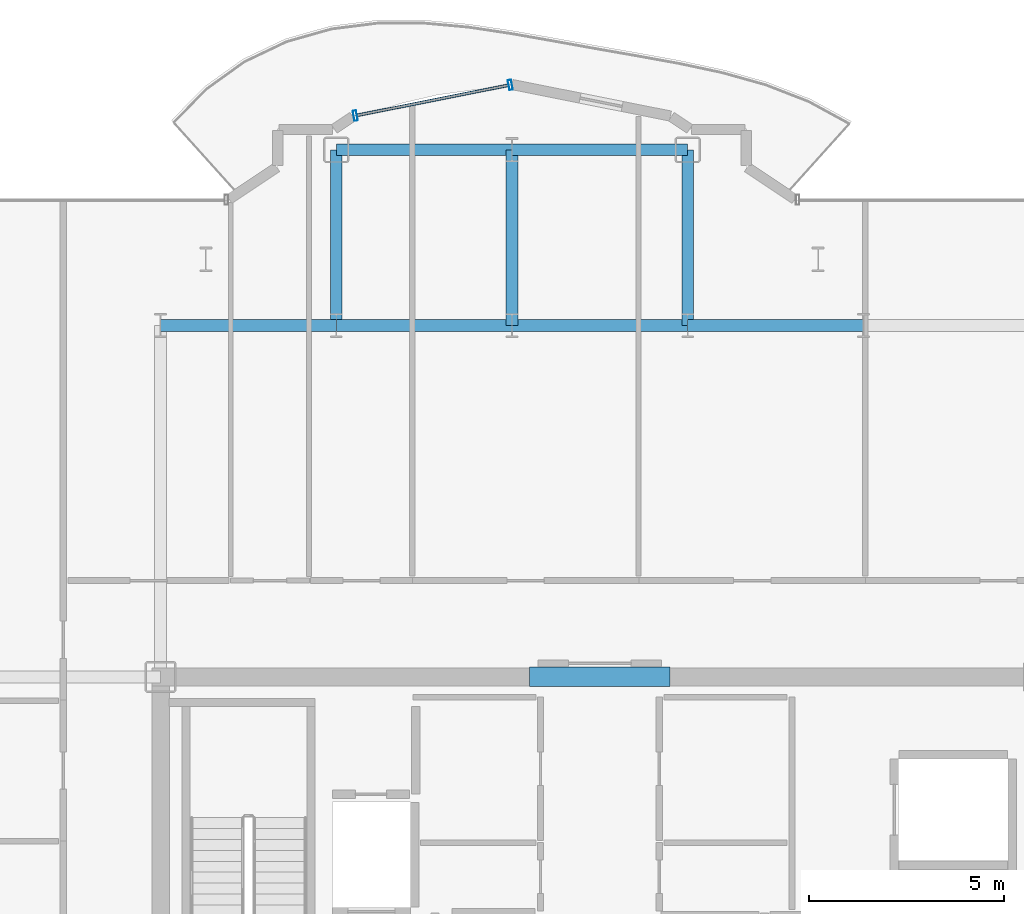
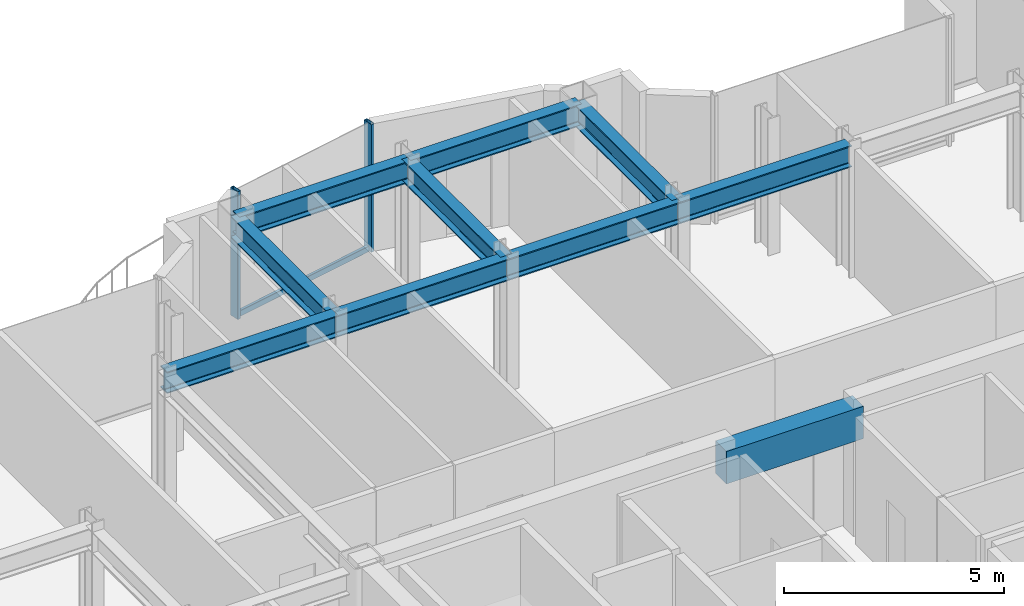
# One storey, part 8 of 17: 10 beams, 3 members, 1 element without a shape of its own.
"""IFC4 building model written with IfcOpenShell, lengths in metres."""

from ifc_helpers import new_model, si_unit, direction, frame, origin, origin_2d, place, context, subcontext, project, spatial, rectangle, hollow_rectangle, i_section, extrude, source, transform, mapped, material, layer, layer_set, material_profile, profile_set, type_object, element, aggregate, save


model = new_model("IFC4")

# Units and contexts
model_context = context("Model", 3, precision=1e-05, world=origin(), true_north=direction((0.0, 1.0)))
body_context = subcontext(model_context, "Body", "Model", "MODEL_VIEW")
ifc_project = project(units=[si_unit("LENGTHUNIT", "METRE"), si_unit("AREAUNIT", "SQUARE_METRE"), si_unit("VOLUMEUNIT", "CUBIC_METRE"), si_unit("PLANEANGLEUNIT", "RADIAN"), si_unit("MASSUNIT", "GRAM", prefix="KILO")], contexts=[model_context])

# Site, building, storey
site_placement = place(None, origin())
site = spatial("IfcSite", under=ifc_project, at=site_placement, CompositionType="ELEMENT")
building_placement = place(site_placement, origin())
building = spatial("IfcBuilding", under=site, at=building_placement, Name="Nefas-Gora Pilgrimage Tower", CompositionType="ELEMENT")
storey_placement = place(building_placement, frame((0.0, 0.0, 279.800048828125)))
storey = spatial("IfcBuildingStorey", under=building, at=storey_placement, Name="L70", CompositionType="ELEMENT", Elevation=279.800048828125)

# Beams
ifc_material_1 = material(Name="Concrete C50/60", Category="concrete")
ifc_material_profile_1 = material_profile(ifc_material_1, rectangle(XDim=0.5, YDim=0.89990234375, at=origin_2d()), Name="RC 500x900")
ifc_profile_set_1 = profile_set([ifc_material_profile_1], Name="Concrete C50/60")
beam_type_1 = type_object("IfcBeamType", Name="BM-LIN-RC900", PredefinedType="LINTEL", material=ifc_profile_set_1)
shared_shape_1 = source(origin(), body_context, "Body", "SweptSolid", [
    extrude(rectangle(XDim=0.5, YDim=0.89990234375, at=origin_2d()), origin(), (0.0, 0.0, 1.0), 3.60009765625),
])
beam_placement = place(storey_placement, frame((-1.800048828125, 9.0, 3.099853515625), z_axis=(1.0, 0.0, 0.0), x_axis=(0.0, 1.0, 0.0)))
element("IfcBeam", 1, at=beam_placement, inside=storey, type_object=beam_type_1, Name="L70 Core Coupling Lintel Beam N", PredefinedType="LINTEL", context=body_context, shape_type="MappedRepresentation", body=[
    mapped(shared_shape_1, transform((0.0, 0.0, 0.0), x_axis=(1.0, 0.0, 0.0), y_axis=(0.0, 1.0, 0.0), z_axis=(0.0, 0.0, 1.0), scale=1.0)),
])
ifc_material_2 = material(Name="Steel S355", Category="steel")
ifc_material_profile_2 = material_profile(ifc_material_2, i_section(OverallWidth=0.300048828125, OverallDepth=0.60009765625, WebThickness=0.015380859375, FlangeThickness=0.030029296875, FilletRadius=0.027099609375, at=origin_2d()), Name="HEB 600")
ifc_profile_set_2 = profile_set([ifc_material_profile_2], Name="Steel S355")
beam_type_2 = type_object("IfcBeamType", Name="BM-GIR-HEB600", PredefinedType="BEAM", material=ifc_profile_set_2)
shared_shape_2 = source(origin(), body_context, "Body", "SweptSolid", [
    extrude(i_section(OverallWidth=0.300048828125, OverallDepth=0.60009765625, WebThickness=0.015380859375, FlangeThickness=0.030029296875, FilletRadius=0.027099609375, at=origin_2d()), origin(), (0.0, 0.0, 1.0), 4.5),
])
for number, where, z_axis, x_axis, name in (
    (2, (-11.25, 18.0, 3.25), (1.0, 0.0, 0.0), (0.0, 1.0, 0.0), "L70 G-04 beam"),
    (3, (-6.75, 18.0, 3.25), (0.0, 1.0, 0.0), (-1.0, 0.0, 0.0), "L70 G-04 beam"),
    (4, (-6.75, 18.0, 3.25), (1.0, 0.0, 0.0), (0.0, 1.0, 0.0), "L70 G-04 beam"),
    (5, (-6.75, 22.5, 3.25), (1.0, 0.0, 0.0), (0.0, 1.0, 0.0), "L70 G-04 beam"),
    (6, (-2.25, 18.0, 3.25), (0.0, 1.0, 0.0), (-1.0, 0.0, 0.0), "L70 G-04 beam"),
    (7, (-2.25, 18.0, 3.25), (1.0, 0.0, 0.0), (0.0, 1.0, 0.0), "L70 G-04 beam"),
    (8, (-2.25, 22.5, 3.25), (1.0, 0.0, 0.0), (0.0, 1.0, 0.0), "L70 G-04 beam"),
    (9, (2.25, 18.0, 3.25), (0.0, 1.0, 0.0), (-1.0, 0.0, 0.0), "L70 G-04 beam"),
    (10, (2.25, 18.0, 3.25), (1.0, 0.0, 0.0), (0.0, 1.0, 0.0), "L70 G-04 beam"),
):
    element("IfcBeam", number, at=place(storey_placement, frame(where, z_axis=z_axis, x_axis=x_axis)), inside=storey, type_object=beam_type_2, Name=name, PredefinedType="BEAM", context=body_context, shape_type="MappedRepresentation", body=[
        mapped(shared_shape_2, transform((0.0, 0.0, 0.0), x_axis=(1.0, 0.0, 0.0), y_axis=(0.0, 1.0, 0.0), z_axis=(0.0, 0.0, 1.0), scale=1.0)),
    ])

# Curtain wall, members
ifc_material_3 = material(Name="Dark ceramic-fritted solar-control aluminium-glass curtain wall", Category="aluminium")
ifc_layer = layer(ifc_material_3, 0.219970703125)
ifc_layer_set = layer_set([ifc_layer], Name="Dark ceramic-fritted solar-control aluminium-glass curtain wall")
curtain_wall_type = type_object("IfcCurtainWallType", Name="CW-SYS-5", PredefinedType="NOTDEFINED", material=ifc_layer_set)
curtain_wall_placement = place(storey_placement, origin())
curtain_wall = element("IfcCurtainWall", 11, at=curtain_wall_placement, inside=storey, type_object=curtain_wall_type, Name="L70 Unitised Curtain Wall CW5", PredefinedType="NOTDEFINED")
ifc_material_4 = material(Name="Anodised architectural aluminium", Category="aluminium")
ifc_material_profile_3 = material_profile(ifc_material_4, hollow_rectangle(XDim=0.090087890625, YDim=0.260009765625, WallThickness=0.006103515625, InnerFilletRadius=0.006103515625, OuterFilletRadius=0.011962890625, at=origin_2d()), Name="ALU MULLION 90x260")
ifc_profile_set_3 = profile_set([ifc_material_profile_3], Name="Anodised architectural aluminium")
member_type_1 = type_object("IfcMemberType", Name="CWM-MUL-5", PredefinedType="MULLION", material=ifc_profile_set_3)
shared_shape_3 = source(origin(), body_context, "Body", "SweptSolid", [
    extrude(hollow_rectangle(XDim=0.090087890625, YDim=0.260009765625, WallThickness=0.006103515625, InnerFilletRadius=0.006103515625, OuterFilletRadius=0.011962890625, at=origin_2d()), origin(), (0.0, 0.0, 1.0), 3.550048828125),
])
member_1_placement = place(storey_placement, frame((-2.294189453125, 24.16357421875, 0.0), z_axis=(0.0, 0.0, 1.0), x_axis=(-0.980782896852, -0.195102304554, 0.0)))
member_1 = element("IfcMember", 12, at=member_1_placement, type_object=member_type_1, Name="CW5 Mullion 1", PredefinedType="MULLION", context=body_context, shape_type="MappedRepresentation", body=[
    mapped(shared_shape_3, transform((0.0, 0.0, 0.0), x_axis=(1.0, 0.0, 0.0), y_axis=(0.0, 1.0, 0.0), z_axis=(0.0, 0.0, 1.0), scale=1.0)),
])
member_2_placement = place(storey_placement, frame((-6.26318359375, 23.3740234375, 0.0), z_axis=(0.0, 0.0, 1.0), x_axis=(-0.980782896852, -0.195102304554, 0.0)))
member_2 = element("IfcMember", 13, at=member_2_placement, type_object=member_type_1, Name="CW5 Mullion 2", PredefinedType="MULLION", context=body_context, shape_type="MappedRepresentation", body=[
    mapped(shared_shape_3, transform((0.0, 0.0, 0.0), x_axis=(1.0, 0.0, 0.0), y_axis=(0.0, 1.0, 0.0), z_axis=(0.0, 0.0, 1.0), scale=1.0)),
])
ifc_material_profile_4 = material_profile(ifc_material_4, hollow_rectangle(XDim=0.080078125, YDim=0.159912109375, WallThickness=0.00439453125, InnerFilletRadius=0.00439453125, OuterFilletRadius=0.009033203125, at=origin_2d()), Name="ALU TRANSOM 80x160")
ifc_profile_set_4 = profile_set([ifc_material_profile_4], Name="Anodised architectural aluminium")
member_type_2 = type_object("IfcMemberType", Name="CWM-TRN-5", PredefinedType="USERDEFINED", material=ifc_profile_set_4)
shared_shape_4 = source(origin(), body_context, "Body", "SweptSolid", [
    extrude(hollow_rectangle(XDim=0.080078125, YDim=0.159912109375, WallThickness=0.00439453125, InnerFilletRadius=0.00439453125, OuterFilletRadius=0.009033203125, at=origin_2d()), origin(), (0.0, 0.0, 1.0), 3.95654296875),
])
member_3_placement = place(storey_placement, frame((-2.33837890625, 24.15478515625, 0.050048828125), z_axis=(-0.980781880918, -0.195107411605, 0.0), x_axis=(0.195107411605, -0.980781880918, 0.0)))
member_3 = element("IfcMember", 14, at=member_3_placement, type_object=member_type_2, Name="CW5 Spandrel Transom", ObjectType="TRANSOM", PredefinedType="USERDEFINED", context=body_context, shape_type="MappedRepresentation", body=[
    mapped(shared_shape_4, transform((0.0, 0.0, 0.0), x_axis=(1.0, 0.0, 0.0), y_axis=(0.0, 1.0, 0.0), z_axis=(0.0, 0.0, 1.0), scale=1.0)),
])
aggregate(curtain_wall, [member_1, member_2, member_3])

save(model, "model.ifc")
